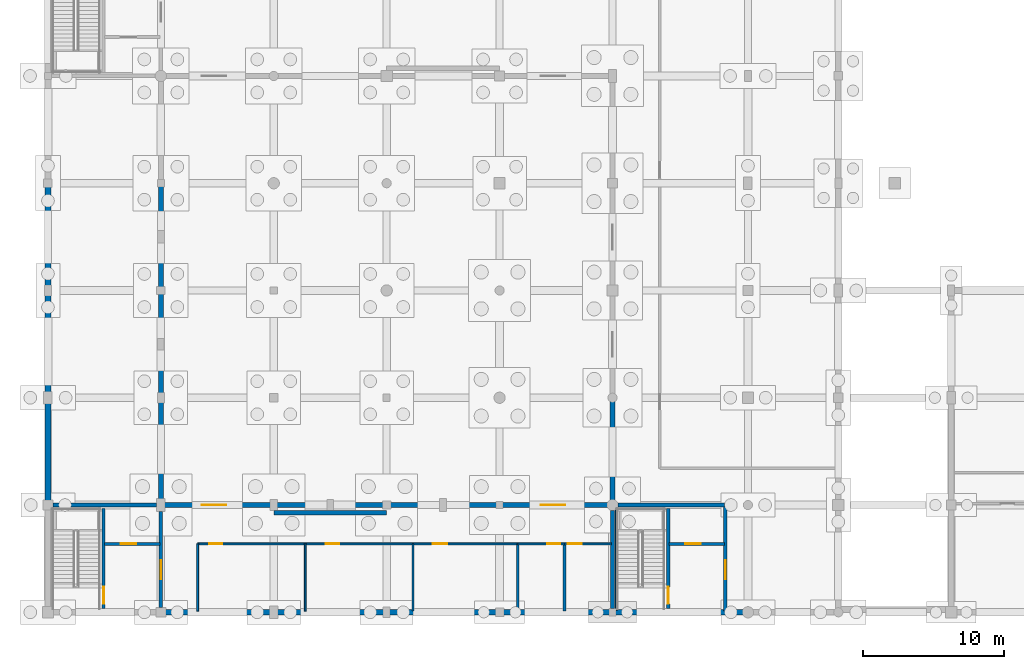
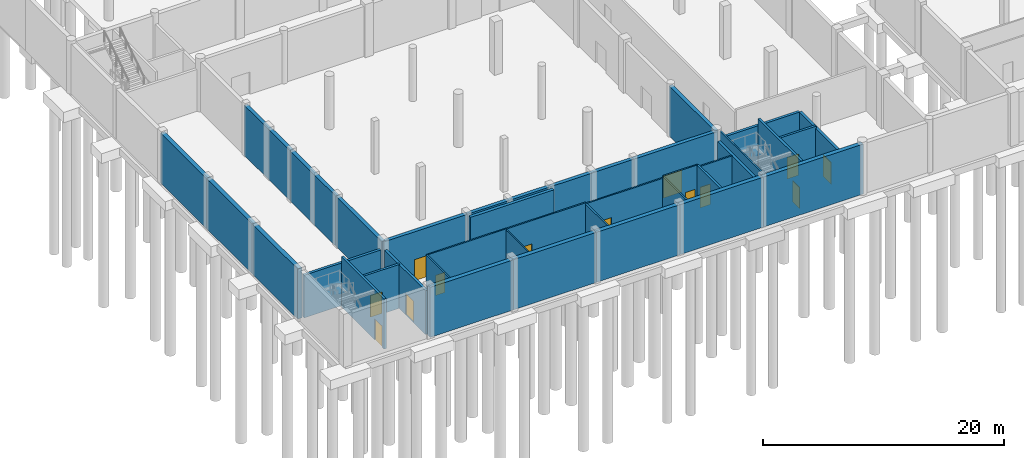
# One storey, part 23 of 44: 37 walls, 13 doors, 13 openings.
"""IFC4 building model written with IfcOpenShell, lengths in metres."""

from ifc_helpers import new_model, si_unit, direction, frame, frame_2d, origin, place, context, subcontext, project, spatial, rectangle, extrude, material, layer, layer_set, type_object, element, fill, save


model = new_model("IFC4")

# Units and contexts
model_context = context("Model", 3, precision=1e-05, world=origin(), true_north=direction((0.0, 1.0)))
body_context = subcontext(model_context, "Body", "Model", "MODEL_VIEW")
ifc_project = project(units=[si_unit("LENGTHUNIT", "METRE"), si_unit("AREAUNIT", "SQUARE_METRE"), si_unit("VOLUMEUNIT", "CUBIC_METRE"), si_unit("PLANEANGLEUNIT", "RADIAN"), si_unit("MASSUNIT", "GRAM", prefix="KILO")], contexts=[model_context])

# Site, building, storey
site_placement = place(None, origin())
site = spatial("IfcSite", under=ifc_project, at=site_placement, CompositionType="ELEMENT")
building_placement = place(site_placement, origin())
building = spatial("IfcBuilding", under=site, at=building_placement, Name="Khelvaren Railside Concert Hall", CompositionType="ELEMENT")
storey_placement = place(building_placement, frame((0.0, 0.0, -5.39990234375)))
storey = spatial("IfcBuildingStorey", under=building, at=storey_placement, Name="B1", CompositionType="ELEMENT", Elevation=-5.39990234375)

# Walls
ifc_material_1 = material(Name="Concrete C40/50", Category="concrete")
ifc_layer_1 = layer(ifc_material_1, 0.139892578125)
ifc_layer_set_1 = layer_set([ifc_layer_1], Name="Concrete C40/50")
wall_type_1 = type_object("IfcWallType", Name="CW17", PredefinedType="SOLIDWALL", material=ifc_layer_set_1)
wall_1_placement = place(storey_placement, frame((40.27490234375, 0.14990234375, 0.0), z_axis=(0.0, 0.0, 1.0), x_axis=(0.0, 1.0, 0.0)))
element("IfcWall", 1, at=wall_1_placement, inside=storey, type_object=wall_type_1, Name="Core Shaft Structural Liner Wall ST-02-B1", PredefinedType="SOLIDWALL", context=body_context, shape_type="SweptSolid", body=[
    extrude(rectangle(XDim=7.300048828125, YDim=0.139892578125, at=frame_2d((3.64990234375, 0.0))), origin(), (0.0, 0.0, 1.0), 5.079833984375),
])
ifc_layer_2 = layer(ifc_material_1, 0.25)
ifc_layer_set_2 = layer_set([ifc_layer_2], Name="Concrete C40/50")
wall_type_2 = type_object("IfcWallType", Name="CW82", PredefinedType="SOLIDWALL", material=ifc_layer_set_2)
wall_2_placement = place(storey_placement, frame((0.35009765625, 7.60009765625, 0.0), z_axis=(0.0, 0.0, 1.0), x_axis=(1.0, 0.0, 0.0)))
element("IfcWall", 2, at=wall_2_placement, inside=storey, type_object=wall_type_2, Name="Core Enclosure Wall CWALL-ST-01-B1-N", PredefinedType="SOLIDWALL", context=body_context, shape_type="SweptSolid", body=[
    extrude(rectangle(XDim=7.349853515625, YDim=0.25, at=frame_2d((3.6748046875, 0.0))), origin(), (0.0, 0.0, 1.0), 4.329833984375),
])

# Wall, opening, door
wall_3_placement = place(storey_placement, frame((8.0, 0.35009765625, 0.0), z_axis=(0.0, 0.0, 1.0), x_axis=(0.0, 1.0, 0.0)))
wall_3 = element("IfcWall", 3, at=wall_3_placement, inside=storey, type_object=wall_type_2, Name="Core Enclosure Wall CWALL-ST-01-B1-E", PredefinedType="SOLIDWALL", context=body_context, shape_type="SweptSolid", body=[
    extrude(rectangle(XDim=6.7998046875, YDim=0.25, at=frame_2d((3.39990234375, 0.0))), origin(), (0.0, 0.0, 1.0), 4.449951171875),
])
opening_1_placement = place(wall_3_placement, frame((2.0, 0.0, 0.0)))
opening_1 = element("IfcOpeningElement", 4, at=opening_1_placement, cuts=wall_3, Name="Opening FDR34", PredefinedType="OPENING", context=body_context, shape_type="SweptSolid", body=[
    extrude(rectangle(XDim=1.35009765625, YDim=2.199951171875, at=frame_2d((0.675048828125, 1.10009765625))), frame((0.0, 0.135009765625, 0.0), z_axis=(0.0, -1.0, 0.0), x_axis=(1.0, 0.0, 0.0)), (0.0, 0.0, 1.0), 0.27001953125),
])
ifc_material_2 = material(Name="Acoustic fire-rated timber-core steel frame door", Category="steel")
door_type_1 = type_object("IfcDoorType", Name="FDR34", OperationType="NOTDEFINED", PredefinedType="DOOR", material=ifc_material_2)
door_1_placement = place(opening_1_placement, origin())
door_1 = element("IfcDoor", 5, at=door_1_placement, inside=storey, type_object=door_type_1, Name="Interior Door DR-ST-01-B1-LOB", OperationType="SINGLE_SWING_LEFT", OverallHeight=2.199951171875, OverallWidth=1.35009765625, PredefinedType="DOOR", context=body_context, shape_type="SweptSolid", body=[
    extrude(rectangle(XDim=1.35009765625, YDim=2.199951171875, at=frame_2d((0.675048828125, 1.10009765625))), frame((0.0, 0.02490234375, 0.0), z_axis=(0.0, -1.0, 0.0), x_axis=(1.0, 0.0, 0.0)), (0.0, 0.0, 1.0), 0.050048828125),
])
fill(opening_1, door_1)

# Walls
wall_4_placement = place(storey_placement, frame((40.0, 0.25, 0.0), z_axis=(0.0, 0.0, 1.0), x_axis=(0.0, 1.0, 0.0)))
element("IfcWall", 6, at=wall_4_placement, inside=storey, type_object=wall_type_2, Name="Core Enclosure Wall CWALL-ST-02-B1-W", PredefinedType="SOLIDWALL", context=body_context, shape_type="SweptSolid", body=[
    extrude(rectangle(XDim=6.949951171875, YDim=0.25, at=frame_2d((3.47509765625, 0.0))), origin(), (0.0, 0.0, 1.0), 4.2548828125),
])
wall_5_placement = place(storey_placement, frame((40.39990234375, 7.60009765625, 0.0), z_axis=(0.0, 0.0, 1.0), x_axis=(1.0, 0.0, 0.0)))
element("IfcWall", 7, at=wall_5_placement, inside=storey, type_object=wall_type_2, Name="Core Enclosure Wall CWALL-ST-02-B1-N", PredefinedType="SOLIDWALL", context=body_context, shape_type="SweptSolid", body=[
    extrude(rectangle(XDim=7.52001953125, YDim=0.25, at=frame_2d((3.760009765625, 0.0))), origin(), (0.0, 0.0, 1.0), 4.2548828125),
])

# Wall, opening, door
wall_6_placement = place(storey_placement, frame((48.0, 0.080078125, 0.0), z_axis=(0.0, 0.0, 1.0), x_axis=(0.0, 1.0, 0.0)))
wall_6 = element("IfcWall", 8, at=wall_6_placement, inside=storey, type_object=wall_type_2, Name="Core Enclosure Wall CWALL-ST-02-B1-E", PredefinedType="SOLIDWALL", context=body_context, shape_type="SweptSolid", body=[
    extrude(rectangle(XDim=7.43994140625, YDim=0.25, at=frame_2d((3.719970703125, 0.0))), origin(), (0.0, 0.0, 1.0), 4.2548828125),
])
opening_2_placement = place(wall_6_placement, frame((2.27001953125, 0.0, 0.0)))
opening_2 = element("IfcOpeningElement", 9, at=opening_2_placement, cuts=wall_6, Name="Opening FDR34", PredefinedType="OPENING", context=body_context, shape_type="SweptSolid", body=[
    extrude(rectangle(XDim=1.35009765625, YDim=2.199951171875, at=frame_2d((0.675048828125, 1.10009765625))), frame((0.0, 0.135009765625, 0.0), z_axis=(0.0, -1.0, 0.0), x_axis=(1.0, 0.0, 0.0)), (0.0, 0.0, 1.0), 0.27001953125),
])
door_2_placement = place(opening_2_placement, origin())
door_2 = element("IfcDoor", 10, at=door_2_placement, inside=storey, type_object=door_type_1, Name="Interior Door DR-ST-02-B1-LOB", OperationType="SINGLE_SWING_LEFT", OverallHeight=2.199951171875, OverallWidth=1.35009765625, PredefinedType="DOOR", context=body_context, shape_type="SweptSolid", body=[
    extrude(rectangle(XDim=1.35009765625, YDim=2.199951171875, at=frame_2d((0.675048828125, 1.10009765625))), frame((0.0, 0.02490234375, 0.0), z_axis=(0.0, -1.0, 0.0), x_axis=(1.0, 0.0, 0.0)), (0.0, 0.0, 1.0), 0.050048828125),
])
fill(opening_2, door_2)

ifc_layer_3 = layer(ifc_material_1, 0.219970703125)
ifc_layer_set_3 = layer_set([ifc_layer_3], Name="Concrete C40/50")
wall_type_3 = type_object("IfcWallType", Name="CW97", PredefinedType="SOLIDWALL", material=ifc_layer_set_3)
wall_7_placement = place(storey_placement, frame((3.949951171875, 0.25, 0.0), z_axis=(0.0, 0.0, 1.0), x_axis=(0.0, 1.0, 0.0)))
wall_7 = element("IfcWall", 11, at=wall_7_placement, inside=storey, type_object=wall_type_3, Name="Core Enclosure Wall CWALL-ST-01-B1-MID", PredefinedType="SOLIDWALL", context=body_context, shape_type="SweptSolid", body=[
    extrude(rectangle(XDim=7.10009765625, YDim=0.219970703125, at=frame_2d((3.550048828125, 0.0))), origin(), (0.0, 0.0, 1.0), 5.079833984375),
])
opening_3_placement = place(wall_7_placement, frame((0.35009765625, 0.0, 0.0)))
opening_3 = element("IfcOpeningElement", 12, at=opening_3_placement, cuts=wall_7, Name="Opening FDR17", PredefinedType="OPENING", context=body_context, shape_type="SweptSolid", body=[
    extrude(rectangle(XDim=1.199951171875, YDim=2.14990234375, at=frame_2d((0.60009765625, 1.074951171875))), frame((0.0, 0.119873046875, 0.0), z_axis=(0.0, -1.0, 0.0), x_axis=(1.0, 0.0, 0.0)), (0.0, 0.0, 1.0), 0.239990234375),
])
door_type_2 = type_object("IfcDoorType", Name="FDR17", OperationType="NOTDEFINED", PredefinedType="DOOR", material=ifc_material_2)
door_3_placement = place(opening_3_placement, origin())
door_3 = element("IfcDoor", 13, at=door_3_placement, inside=storey, type_object=door_type_2, Name="Interior Door DR-ST-01-B1-ST", OperationType="SINGLE_SWING_RIGHT", OverallHeight=2.14990234375, OverallWidth=1.199951171875, PredefinedType="DOOR", context=body_context, shape_type="SweptSolid", body=[
    extrude(rectangle(XDim=1.199951171875, YDim=2.14990234375, at=frame_2d((0.60009765625, 1.074951171875))), frame((0.0, 0.02490234375, 0.0), z_axis=(0.0, -1.0, 0.0), x_axis=(1.0, 0.0, 0.0)), (0.0, 0.0, 1.0), 0.050048828125),
])
fill(opening_3, door_3)

wall_8_placement = place(storey_placement, frame((4.02001953125, 4.85009765625, 0.0), z_axis=(0.0, 0.0, 1.0), x_axis=(1.0, 0.0, 0.0)))
wall_8 = element("IfcWall", 14, at=wall_8_placement, inside=storey, type_object=wall_type_3, Name="Core Enclosure Wall CWALL-ST-01-B1-SHF", PredefinedType="SOLIDWALL", context=body_context, shape_type="SweptSolid", body=[
    extrude(rectangle(XDim=3.929931640625, YDim=0.219970703125, at=frame_2d((1.96484375, 0.0))), origin(), (0.0, 0.0, 1.0), 4.454833984375),
])
opening_4_placement = place(wall_8_placement, frame((1.14990234375, 0.0, 0.0)))
opening_4 = element("IfcOpeningElement", 15, at=opening_4_placement, cuts=wall_8, Name="Opening LD-PL-06", PredefinedType="OPENING", context=body_context, shape_type="SweptSolid", body=[
    extrude(rectangle(XDim=1.10009765625, YDim=2.199951171875, at=frame_2d((0.550048828125, 1.10009765625))), frame((0.0, 0.119873046875, 0.0), z_axis=(0.0, -1.0, 0.0), x_axis=(1.0, 0.0, 0.0)), (0.0, 0.0, 1.0), 0.239990234375),
])
ifc_material_3 = material(Name="Fire-rated brushed stainless steel landing door", Category="steel")
door_type_3 = type_object("IfcDoorType", Name="LD96", OperationType="DOUBLE_DOOR_SLIDING", PredefinedType="DOOR", material=ifc_material_3)
door_4_placement = place(opening_4_placement, origin())
door_4 = element("IfcDoor", 16, at=door_4_placement, inside=storey, type_object=door_type_3, Name="Lift Landing Door LD-PL-06-B1", OperationType="DOUBLE_DOOR_SLIDING", OverallHeight=2.199951171875, OverallWidth=1.10009765625, PredefinedType="DOOR", context=body_context, shape_type="SweptSolid", body=[
    extrude(rectangle(XDim=1.10009765625, YDim=2.199951171875, at=frame_2d((0.550048828125, 1.10009765625))), frame((0.0, 0.02490234375, 0.0), z_axis=(0.0, -1.0, 0.0), x_axis=(1.0, 0.0, 0.0)), (0.0, 0.0, 1.0), 0.050048828125),
])
fill(opening_4, door_4)

wall_9_placement = place(storey_placement, frame((43.949951171875, 0.25, 0.0), z_axis=(0.0, 0.0, 1.0), x_axis=(0.0, 1.0, 0.0)))
wall_9 = element("IfcWall", 17, at=wall_9_placement, inside=storey, type_object=wall_type_3, Name="Core Enclosure Wall CWALL-ST-02-B1-MID", PredefinedType="SOLIDWALL", context=body_context, shape_type="SweptSolid", body=[
    extrude(rectangle(XDim=7.10009765625, YDim=0.219970703125, at=frame_2d((3.550048828125, 0.0))), origin(), (0.0, 0.0, 1.0), 5.079833984375),
])
opening_5_placement = place(wall_9_placement, frame((0.35009765625, 0.0, 0.0)))
opening_5 = element("IfcOpeningElement", 18, at=opening_5_placement, cuts=wall_9, Name="Opening FDR17", PredefinedType="OPENING", context=body_context, shape_type="SweptSolid", body=[
    extrude(rectangle(XDim=1.199951171875, YDim=2.14990234375, at=frame_2d((0.60009765625, 1.074951171875))), frame((0.0, 0.119873046875, 0.0), z_axis=(0.0, -1.0, 0.0), x_axis=(1.0, 0.0, 0.0)), (0.0, 0.0, 1.0), 0.239990234375),
])
door_5_placement = place(opening_5_placement, origin())
door_5 = element("IfcDoor", 19, at=door_5_placement, inside=storey, type_object=door_type_2, Name="Interior Door DR-ST-02-B1-ST", OperationType="SINGLE_SWING_RIGHT", OverallHeight=2.14990234375, OverallWidth=1.199951171875, PredefinedType="DOOR", context=body_context, shape_type="SweptSolid", body=[
    extrude(rectangle(XDim=1.199951171875, YDim=2.14990234375, at=frame_2d((0.60009765625, 1.074951171875))), frame((0.0, 0.02490234375, 0.0), z_axis=(0.0, -1.0, 0.0), x_axis=(1.0, 0.0, 0.0)), (0.0, 0.0, 1.0), 0.050048828125),
])
fill(opening_5, door_5)

wall_10_placement = place(storey_placement, frame((44.02001953125, 4.85009765625, 0.0), z_axis=(0.0, 0.0, 1.0), x_axis=(1.0, 0.0, 0.0)))
wall_10 = element("IfcWall", 20, at=wall_10_placement, inside=storey, type_object=wall_type_3, Name="Core Enclosure Wall CWALL-ST-02-B1-SHF", PredefinedType="SOLIDWALL", context=body_context, shape_type="SweptSolid", body=[
    extrude(rectangle(XDim=3.929931640625, YDim=0.219970703125, at=frame_2d((1.96484375, 0.0))), origin(), (0.0, 0.0, 1.0), 4.47998046875),
])
opening_6_placement = place(wall_10_placement, frame((1.14990234375, 0.0, 0.0)))
opening_6 = element("IfcOpeningElement", 21, at=opening_6_placement, cuts=wall_10, Name="Opening LD-PL-01", PredefinedType="OPENING", context=body_context, shape_type="SweptSolid", body=[
    extrude(rectangle(XDim=1.10009765625, YDim=2.199951171875, at=frame_2d((0.550048828125, 1.10009765625))), frame((0.0, 0.119873046875, 0.0), z_axis=(0.0, -1.0, 0.0), x_axis=(1.0, 0.0, 0.0)), (0.0, 0.0, 1.0), 0.239990234375),
])
door_6_placement = place(opening_6_placement, origin())
door_6 = element("IfcDoor", 22, at=door_6_placement, inside=storey, type_object=door_type_3, Name="Lift Landing Door LD-PL-01-B1", OperationType="DOUBLE_DOOR_SLIDING", OverallHeight=2.199951171875, OverallWidth=1.10009765625, PredefinedType="DOOR", context=body_context, shape_type="SweptSolid", body=[
    extrude(rectangle(XDim=1.10009765625, YDim=2.199951171875, at=frame_2d((0.550048828125, 1.10009765625))), frame((0.0, 0.02490234375, 0.0), z_axis=(0.0, -1.0, 0.0), x_axis=(1.0, 0.0, 0.0)), (0.0, 0.0, 1.0), 0.050048828125),
])
fill(opening_6, door_6)

# Walls
ifc_material_4 = material(Name="Acoustic double-stud gypsum partition", Category="gypsum")
ifc_layer_4 = layer(ifc_material_4, 0.18994140625)
ifc_layer_set_4 = layer_set([ifc_layer_4], Name="Acoustic double-stud gypsum partition")
wall_type_4 = type_object("IfcWallType", Name="PT17", PredefinedType="PARTITIONING", material=ifc_layer_set_4)
wall_11_placement = place(storey_placement, frame((36.60595703125, 0.080078125, 0.0), z_axis=(0.0, 0.0, 1.0), x_axis=(0.0, 1.0, 0.0)))
element("IfcWall", 23, at=wall_11_placement, inside=storey, type_object=wall_type_4, Name="Acoustic Partition Wall PW-V1-B1-SB-D04", PredefinedType="PARTITIONING", context=body_context, shape_type="SweptSolid", body=[
    extrude(rectangle(XDim=4.77001953125, YDim=0.18994140625, at=frame_2d((2.385009765625, 0.0))), origin(), (0.0, 0.0, 1.0), 4.474853515625),
])
ifc_layer_5 = layer(ifc_material_4, 0.1298828125)
ifc_layer_set_5 = layer_set([ifc_layer_5], Name="Acoustic double-stud gypsum partition")
wall_type_5 = type_object("IfcWallType", Name="PT31", PredefinedType="PARTITIONING", material=ifc_layer_set_5)
wall_12_placement = place(storey_placement, frame((18.23095703125, 0.080078125, 0.0), z_axis=(0.0, 0.0, 1.0), x_axis=(0.0, 1.0, 0.0)))
element("IfcWall", 24, at=wall_12_placement, inside=storey, type_object=wall_type_5, Name="Acoustic Partition Wall PW-V1-B1-SB-D01", PredefinedType="PARTITIONING", context=body_context, shape_type="SweptSolid", body=[
    extrude(rectangle(XDim=4.77001953125, YDim=0.1298828125, at=frame_2d((2.385009765625, 0.0))), origin(), (0.0, 0.0, 1.0), 4.329833984375),
])

# Wall, opening, door
ifc_layer_6 = layer(ifc_material_4, 0.139892578125)
ifc_layer_set_6 = layer_set([ifc_layer_6], Name="Acoustic double-stud gypsum partition")
wall_type_6 = type_object("IfcWallType", Name="PT55", PredefinedType="PARTITIONING", material=ifc_layer_set_6)
wall_13_placement = place(storey_placement, frame((10.60009765625, 4.85009765625, 0.0), z_axis=(0.0, 0.0, 1.0), x_axis=(1.0, 0.0, 0.0)))
wall_13 = element("IfcWall", 25, at=wall_13_placement, inside=storey, type_object=wall_type_6, Name="Acoustic Partition Wall PW-V1-B1-SB-C01", PredefinedType="PARTITIONING", context=body_context, shape_type="SweptSolid", body=[
    extrude(rectangle(XDim=7.630859375, YDim=0.139892578125, at=frame_2d((3.8154296875, 0.0))), origin(), (0.0, 0.0, 1.0), 4.434814453125),
])
opening_7_placement = place(wall_13_placement, frame((0.839111328125, 0.0, 0.0)))
opening_7 = element("IfcOpeningElement", 26, at=opening_7_placement, cuts=wall_13, Name="Opening IDR68", PredefinedType="OPENING", context=body_context, shape_type="SweptSolid", body=[
    extrude(rectangle(XDim=0.919921875, YDim=2.050048828125, at=frame_2d((0.4599609375, 1.02490234375))), frame((0.0, 0.079833984375, 0.0), z_axis=(0.0, -1.0, 0.0), x_axis=(1.0, 0.0, 0.0)), (0.0, 0.0, 1.0), 0.159912109375),
])
ifc_material_5 = material(Name="Solid oak acoustic studio door", Category="wood")
door_type_4 = type_object("IfcDoorType", Name="IDR68", OperationType="NOTDEFINED", PredefinedType="DOOR", material=ifc_material_5)
door_7_placement = place(opening_7_placement, origin())
door_7 = element("IfcDoor", 27, at=door_7_placement, inside=storey, type_object=door_type_4, Name="Interior Door DR-V1-B1-SB-01", OperationType="SINGLE_SWING_RIGHT", OverallHeight=2.050048828125, OverallWidth=0.919921875, PredefinedType="DOOR", context=body_context, shape_type="SweptSolid", body=[
    extrude(rectangle(XDim=0.919921875, YDim=2.050048828125, at=frame_2d((0.4599609375, 1.02490234375))), frame((0.0, 0.02490234375, 0.0), z_axis=(0.0, -1.0, 0.0), x_axis=(1.0, 0.0, 0.0)), (0.0, 0.0, 1.0), 0.050048828125),
])
fill(opening_7, door_7)

wall_14_placement = place(storey_placement, frame((18.23095703125, 4.85009765625, 0.0), z_axis=(0.0, 0.0, 1.0), x_axis=(1.0, 0.0, 0.0)))
wall_14 = element("IfcWall", 28, at=wall_14_placement, inside=storey, type_object=wall_type_6, Name="Acoustic Partition Wall PW-V1-B1-SB-C02", PredefinedType="PARTITIONING", context=body_context, shape_type="SweptSolid", body=[
    extrude(rectangle(XDim=7.631103515625, YDim=0.139892578125, at=frame_2d((3.8154296875, 0.0))), origin(), (0.0, 0.0, 1.0), 4.409912109375),
])
opening_8_placement = place(wall_14_placement, frame((1.458251953125, 0.0, 0.0)))
opening_8 = element("IfcOpeningElement", 29, at=opening_8_placement, cuts=wall_14, Name="Opening IDR50", PredefinedType="OPENING", context=body_context, shape_type="SweptSolid", body=[
    extrude(rectangle(XDim=0.9599609375, YDim=2.050048828125, at=frame_2d((0.47998046875, 1.02490234375))), frame((0.0, 0.079833984375, 0.0), z_axis=(0.0, -1.0, 0.0), x_axis=(1.0, 0.0, 0.0)), (0.0, 0.0, 1.0), 0.159912109375),
])
door_type_5 = type_object("IfcDoorType", Name="IDR50", OperationType="NOTDEFINED", PredefinedType="DOOR", material=ifc_material_5)
door_8_placement = place(opening_8_placement, origin())
door_8 = element("IfcDoor", 30, at=door_8_placement, inside=storey, type_object=door_type_5, Name="Interior Door DR-V1-B1-SB-02", OperationType="SINGLE_SWING_LEFT", OverallHeight=2.050048828125, OverallWidth=0.9599609375, PredefinedType="DOOR", context=body_context, shape_type="SweptSolid", body=[
    extrude(rectangle(XDim=0.9599609375, YDim=2.050048828125, at=frame_2d((0.47998046875, 1.02490234375))), frame((0.0, 0.02490234375, 0.0), z_axis=(0.0, -1.0, 0.0), x_axis=(1.0, 0.0, 0.0)), (0.0, 0.0, 1.0), 0.050048828125),
])
fill(opening_8, door_8)

wall_15_placement = place(storey_placement, frame((25.862060546875, 4.85009765625, 0.0), z_axis=(0.0, 0.0, 1.0), x_axis=(1.0, 0.0, 0.0)))
wall_15 = element("IfcWall", 31, at=wall_15_placement, inside=storey, type_object=wall_type_6, Name="Acoustic Partition Wall PW-V1-B1-SB-C03", PredefinedType="PARTITIONING", context=body_context, shape_type="SweptSolid", body=[
    extrude(rectangle(XDim=7.429931640625, YDim=0.139892578125, at=frame_2d((3.71484375, 0.0))), origin(), (0.0, 0.0, 1.0), 4.304931640625),
])
opening_9_placement = place(wall_15_placement, frame((1.41796875, 0.0, 0.0)))
opening_9 = element("IfcOpeningElement", 32, at=opening_9_placement, cuts=wall_15, Name="Opening IDR21", PredefinedType="OPENING", context=body_context, shape_type="SweptSolid", body=[
    extrude(rectangle(XDim=1.0, YDim=2.050048828125, at=frame_2d((0.5, 1.02490234375))), frame((0.0, 0.079833984375, 0.0), z_axis=(0.0, -1.0, 0.0), x_axis=(1.0, 0.0, 0.0)), (0.0, 0.0, 1.0), 0.159912109375),
])
door_type_6 = type_object("IfcDoorType", Name="IDR21", OperationType="NOTDEFINED", PredefinedType="DOOR", material=ifc_material_5)
door_9_placement = place(opening_9_placement, origin())
door_9 = element("IfcDoor", 33, at=door_9_placement, inside=storey, type_object=door_type_6, Name="Interior Door DR-V1-B1-SB-03", OperationType="SINGLE_SWING_RIGHT", OverallHeight=2.050048828125, OverallWidth=1.0, PredefinedType="DOOR", context=body_context, shape_type="SweptSolid", body=[
    extrude(rectangle(XDim=1.0, YDim=2.050048828125, at=frame_2d((0.5, 1.02490234375))), frame((0.0, 0.02490234375, 0.0), z_axis=(0.0, -1.0, 0.0), x_axis=(1.0, 0.0, 0.0)), (0.0, 0.0, 1.0), 0.050048828125),
])
fill(opening_9, door_9)

wall_16_placement = place(storey_placement, frame((33.2919921875, 4.85009765625, 0.0), z_axis=(0.0, 0.0, 1.0), x_axis=(1.0, 0.0, 0.0)))
wall_16 = element("IfcWall", 34, at=wall_16_placement, inside=storey, type_object=wall_type_6, Name="Acoustic Partition Wall PW-V1-B1-SB-C04", PredefinedType="PARTITIONING", context=body_context, shape_type="SweptSolid", body=[
    extrude(rectangle(XDim=3.31396484375, YDim=0.139892578125, at=frame_2d((1.656982421875, 0.0))), origin(), (0.0, 0.0, 1.0), 4.494873046875),
])
opening_10_placement = place(wall_16_placement, frame((2.093994140625, 0.0, 0.0)))
opening_10 = element("IfcOpeningElement", 35, at=opening_10_placement, cuts=wall_16, Name="Opening IDR30", PredefinedType="OPENING", context=body_context, shape_type="SweptSolid", body=[
    extrude(rectangle(XDim=0.929931640625, YDim=2.10009765625, at=frame_2d((0.46484375, 1.050048828125))), frame((0.0, 0.079833984375, 0.0), z_axis=(0.0, -1.0, 0.0), x_axis=(1.0, 0.0, 0.0)), (0.0, 0.0, 1.0), 0.159912109375),
])
door_type_7 = type_object("IfcDoorType", Name="IDR30", OperationType="NOTDEFINED", PredefinedType="DOOR", material=ifc_material_5)
door_10_placement = place(opening_10_placement, origin())
door_10 = element("IfcDoor", 36, at=door_10_placement, inside=storey, type_object=door_type_7, Name="Interior Door DR-V1-B1-SB-04", OperationType="SINGLE_SWING_LEFT", OverallHeight=2.10009765625, OverallWidth=0.929931640625, PredefinedType="DOOR", context=body_context, shape_type="SweptSolid", body=[
    extrude(rectangle(XDim=0.929931640625, YDim=2.10009765625, at=frame_2d((0.46484375, 1.050048828125))), frame((0.0, 0.02490234375, 0.0), z_axis=(0.0, -1.0, 0.0), x_axis=(1.0, 0.0, 0.0)), (0.0, 0.0, 1.0), 0.050048828125),
])
fill(opening_10, door_10)

wall_17_placement = place(storey_placement, frame((36.60595703125, 4.85009765625, 0.0), z_axis=(0.0, 0.0, 1.0), x_axis=(1.0, 0.0, 0.0)))
wall_17 = element("IfcWall", 37, at=wall_17_placement, inside=storey, type_object=wall_type_6, Name="Acoustic Partition Wall PW-V1-B1-SB-C05", PredefinedType="PARTITIONING", context=body_context, shape_type="SweptSolid", body=[
    extrude(rectangle(XDim=3.31396484375, YDim=0.139892578125, at=frame_2d((1.656982421875, 0.0))), origin(), (0.0, 0.0, 1.0), 4.2548828125),
])
opening_11_placement = place(wall_17_placement, frame((0.219970703125, 0.0, 0.0)))
opening_11 = element("IfcOpeningElement", 38, at=opening_11_placement, cuts=wall_17, Name="Opening IDR79", PredefinedType="OPENING", context=body_context, shape_type="SweptSolid", body=[
    extrude(rectangle(XDim=0.989990234375, YDim=2.10009765625, at=frame_2d((0.4951171875, 1.050048828125))), frame((0.0, 0.079833984375, 0.0), z_axis=(0.0, -1.0, 0.0), x_axis=(1.0, 0.0, 0.0)), (0.0, 0.0, 1.0), 0.159912109375),
])
door_type_8 = type_object("IfcDoorType", Name="IDR79", OperationType="NOTDEFINED", PredefinedType="DOOR", material=ifc_material_5)
door_11_placement = place(opening_11_placement, origin())
door_11 = element("IfcDoor", 39, at=door_11_placement, inside=storey, type_object=door_type_8, Name="Interior Door DR-V1-B1-SB-05", OperationType="SINGLE_SWING_RIGHT", OverallHeight=2.10009765625, OverallWidth=0.989990234375, PredefinedType="DOOR", context=body_context, shape_type="SweptSolid", body=[
    extrude(rectangle(XDim=0.989990234375, YDim=2.10009765625, at=frame_2d((0.4951171875, 1.050048828125))), frame((0.0, 0.02490234375, 0.0), z_axis=(0.0, -1.0, 0.0), x_axis=(1.0, 0.0, 0.0)), (0.0, 0.0, 1.0), 0.050048828125),
])
fill(opening_11, door_11)

# Walls
wall_18_placement = place(storey_placement, frame((10.60009765625, 0.080078125, 0.0), z_axis=(0.0, 0.0, 1.0), x_axis=(0.0, 1.0, 0.0)))
element("IfcWall", 40, at=wall_18_placement, inside=storey, type_object=wall_type_6, Name="Acoustic Partition Wall PW-V1-B1-SB-W0", PredefinedType="PARTITIONING", context=body_context, shape_type="SweptSolid", body=[
    extrude(rectangle(XDim=4.77001953125, YDim=0.139892578125, at=frame_2d((2.385009765625, 0.0))), origin(), (0.0, 0.0, 1.0), 4.449951171875),
])
ifc_layer_7 = layer(ifc_material_4, 0.14990234375)
ifc_layer_set_7 = layer_set([ifc_layer_7], Name="Acoustic double-stud gypsum partition")
wall_type_7 = type_object("IfcWallType", Name="PT66", PredefinedType="PARTITIONING", material=ifc_layer_set_7)
wall_19_placement = place(storey_placement, frame((25.862060546875, 0.080078125, 0.0), z_axis=(0.0, 0.0, 1.0), x_axis=(0.0, 1.0, 0.0)))
element("IfcWall", 41, at=wall_19_placement, inside=storey, type_object=wall_type_7, Name="Acoustic Partition Wall PW-V1-B1-SB-D02", PredefinedType="PARTITIONING", context=body_context, shape_type="SweptSolid", body=[
    extrude(rectangle(XDim=4.77001953125, YDim=0.14990234375, at=frame_2d((2.385009765625, 0.0))), origin(), (0.0, 0.0, 1.0), 4.304931640625),
])
ifc_layer_8 = layer(ifc_material_4, 0.169921875)
ifc_layer_set_8 = layer_set([ifc_layer_8], Name="Acoustic double-stud gypsum partition")
wall_type_8 = type_object("IfcWallType", Name="PT94", PredefinedType="PARTITIONING", material=ifc_layer_set_8)
wall_20_placement = place(storey_placement, frame((33.2919921875, 0.080078125, 0.0), z_axis=(0.0, 0.0, 1.0), x_axis=(0.0, 1.0, 0.0)))
element("IfcWall", 42, at=wall_20_placement, inside=storey, type_object=wall_type_8, Name="Acoustic Partition Wall PW-V1-B1-SB-D03", PredefinedType="PARTITIONING", context=body_context, shape_type="SweptSolid", body=[
    extrude(rectangle(XDim=4.77001953125, YDim=0.169921875, at=frame_2d((2.385009765625, 0.0))), origin(), (0.0, 0.0, 1.0), 4.474853515625),
])
ifc_layer_9 = layer(ifc_material_1, 0.39990234375)
ifc_layer_set_9 = layer_set([ifc_layer_9], Name="Concrete C40/50")
wall_type_9 = type_object("IfcWallType", Name="RW96", PredefinedType="USERDEFINED", material=ifc_layer_set_9)
for number, where, z_axis, x_axis, name in (
    (43, (8.0, 0.0, 0.0), (0.0, 0.0, 1.0), (1.0, 0.0, 0.0), "V1 Basement Retaining Wall S02"),
    (44, (16.0, 0.0, 0.0), (0.0, 0.0, 1.0), (1.0, 0.0, 0.0), "V1 Basement Retaining Wall S03"),
    (45, (24.0, 0.0, 0.0), (0.0, 0.0, 1.0), (1.0, 0.0, 0.0), "V1 Basement Retaining Wall S04"),
    (46, (32.0, 0.0, 0.0), (0.0, 0.0, 1.0), (1.0, 0.0, 0.0), "V1 Basement Retaining Wall S05"),
):
    element("IfcWall", number, at=place(storey_placement, frame(where, z_axis=z_axis, x_axis=x_axis)), inside=storey, type_object=wall_type_9, Name=name, ObjectType="RETAINING WALL", PredefinedType="USERDEFINED", context=body_context, shape_type="SweptSolid", body=[
        extrude(rectangle(XDim=8.0, YDim=0.39990234375, at=frame_2d((4.0, 0.0))), origin(), (0.0, 0.0, 1.0), 5.079833984375),
    ])
wall_21_placement = place(storey_placement, frame((40.0, 0.0, 0.0), z_axis=(0.0, 0.0, 1.0), x_axis=(1.0, 0.0, 0.0)))
element("IfcWall", 47, at=wall_21_placement, inside=storey, type_object=wall_type_9, Name="V1 Basement Retaining Wall S06", ObjectType="RETAINING WALL", PredefinedType="USERDEFINED", context=body_context, shape_type="SweptSolid", body=[
    extrude(rectangle(XDim=9.60009765625, YDim=0.39990234375, at=frame_2d((4.800048828125, 0.0))), origin(), (0.0, 0.0, 1.0), 5.079833984375),
])
wall_22_placement = place(storey_placement, frame((0.0, 15.199951171875, 0.0), z_axis=(0.0, 0.0, 1.0), x_axis=(0.0, -1.0, 0.0)))
element("IfcWall", 48, at=wall_22_placement, inside=storey, type_object=wall_type_9, Name="V1 Basement Retaining Wall W02", ObjectType="RETAINING WALL", PredefinedType="USERDEFINED", context=body_context, shape_type="SweptSolid", body=[
    extrude(rectangle(XDim=7.599853515625, YDim=0.39990234375, at=frame_2d((3.7998046875, 0.0))), origin(), (0.0, 0.0, 1.0), 5.079833984375),
])
wall_23_placement = place(storey_placement, frame((0.0, 22.800048828125, 0.0), z_axis=(0.0, 0.0, 1.0), x_axis=(0.0, -1.0, 0.0)))
element("IfcWall", 49, at=wall_23_placement, inside=storey, type_object=wall_type_9, Name="V1 Basement Retaining Wall W03", ObjectType="RETAINING WALL", PredefinedType="USERDEFINED", context=body_context, shape_type="SweptSolid", body=[
    extrude(rectangle(XDim=7.60009765625, YDim=0.39990234375, at=frame_2d((3.800048828125, 0.0))), origin(), (0.0, 0.0, 1.0), 5.079833984375),
])
wall_24_placement = place(storey_placement, frame((0.0, 30.39990234375, 0.0), z_axis=(0.0, 0.0, 1.0), x_axis=(0.0, -1.0, 0.0)))
element("IfcWall", 50, at=wall_24_placement, inside=storey, type_object=wall_type_9, Name="V1 Basement Retaining Wall W04", ObjectType="RETAINING WALL", PredefinedType="USERDEFINED", context=body_context, shape_type="SweptSolid", body=[
    extrude(rectangle(XDim=7.599853515625, YDim=0.39990234375, at=frame_2d((3.7998046875, 0.0))), origin(), (0.0, 0.0, 1.0), 5.079833984375),
])
ifc_layer_10 = layer(ifc_material_1, 0.300048828125)
ifc_layer_set_10 = layer_set([ifc_layer_10], Name="Concrete C40/50")
wall_type_10 = type_object("IfcWallType", Name="SW62", PredefinedType="SHEAR", material=ifc_layer_set_10)
wall_25_placement = place(storey_placement, frame((16.0, 7.050048828125, 0.0), z_axis=(0.0, 0.0, 1.0), x_axis=(1.0, 0.0, 0.0)))
element("IfcWall", 51, at=wall_25_placement, inside=storey, type_object=wall_type_10, Name="V1 Outer Box Isolation Wall B1-1", PredefinedType="SHEAR", context=body_context, shape_type="SweptSolid", body=[
    extrude(rectangle(XDim=8.0, YDim=0.300048828125, at=frame_2d((4.0, 0.0))), origin(), (0.0, 0.0, 1.0), 5.079833984375),
])

# Wall, opening, door
ifc_layer_11 = layer(ifc_material_1, 0.35009765625)
ifc_layer_set_11 = layer_set([ifc_layer_11], Name="Concrete C40/50")
wall_type_11 = type_object("IfcWallType", Name="SW91", PredefinedType="SHEAR", material=ifc_layer_set_11)
wall_26_placement = place(storey_placement, frame((8.0, 7.60009765625, 0.0), z_axis=(0.0, 0.0, 1.0), x_axis=(1.0, 0.0, 0.0)))
wall_26 = element("IfcWall", 52, at=wall_26_placement, inside=storey, type_object=wall_type_11, Name="V1 Acoustic Box Shear Wall B1 S1", PredefinedType="SHEAR", context=body_context, shape_type="SweptSolid", body=[
    extrude(rectangle(XDim=8.0, YDim=0.35009765625, at=frame_2d((4.0, 0.0))), origin(), (0.0, 0.0, 1.0), 5.079833984375),
])
opening_12_placement = place(wall_26_placement, frame((2.89990234375, 0.0, 0.0)))
opening_12 = element("IfcOpeningElement", 53, at=opening_12_placement, cuts=wall_26, Name="Opening ADR83", PredefinedType="OPENING", context=body_context, shape_type="SweptSolid", body=[
    extrude(rectangle(XDim=1.75, YDim=2.25, at=frame_2d((0.875, 1.125))), frame((0.0, 0.18505859375, 0.0), z_axis=(0.0, -1.0, 0.0), x_axis=(1.0, 0.0, 0.0)), (0.0, 0.0, 1.0), 0.3701171875),
])
ifc_material_6 = material(Name="Heavy acoustic double sound-lock fire door", Category="wood")
door_type_9 = type_object("IfcDoorType", Name="ADR83", OperationType="DOUBLE_DOOR_SINGLE_SWING", PredefinedType="DOOR", material=ifc_material_6)
door_12_placement = place(opening_12_placement, origin())
door_12 = element("IfcDoor", 54, at=door_12_placement, inside=storey, type_object=door_type_9, Name="Main Concert Hall Acoustic Sound-Lock Door B1-S1", OperationType="DOUBLE_DOOR_SINGLE_SWING", OverallHeight=2.25, OverallWidth=1.75, PredefinedType="DOOR", context=body_context, shape_type="SweptSolid", body=[
    extrude(rectangle(XDim=1.75, YDim=2.25, at=frame_2d((0.875, 1.125))), frame((0.0, 0.02490234375, 0.0), z_axis=(0.0, -1.0, 0.0), x_axis=(1.0, 0.0, 0.0)), (0.0, 0.0, 1.0), 0.050048828125),
])
fill(opening_12, door_12)

# Walls
for number, where, z_axis, x_axis, name in (
    (55, (16.0, 7.60009765625, 0.0), (0.0, 0.0, 1.0), (1.0, 0.0, 0.0), "V1 Acoustic Box Shear Wall B1 S2"),
    (56, (24.0, 7.60009765625, 0.0), (0.0, 0.0, 1.0), (1.0, 0.0, 0.0), "V1 Acoustic Box Shear Wall B1 S3"),
):
    element("IfcWall", number, at=place(storey_placement, frame(where, z_axis=z_axis, x_axis=x_axis)), inside=storey, type_object=wall_type_11, Name=name, PredefinedType="SHEAR", context=body_context, shape_type="SweptSolid", body=[
        extrude(rectangle(XDim=8.0, YDim=0.35009765625, at=frame_2d((4.0, 0.0))), origin(), (0.0, 0.0, 1.0), 5.079833984375),
    ])

# Wall, opening, door
wall_27_placement = place(storey_placement, frame((32.0, 7.60009765625, 0.0), z_axis=(0.0, 0.0, 1.0), x_axis=(1.0, 0.0, 0.0)))
wall_27 = element("IfcWall", 57, at=wall_27_placement, inside=storey, type_object=wall_type_11, Name="V1 Acoustic Box Shear Wall B1 S4", PredefinedType="SHEAR", context=body_context, shape_type="SweptSolid", body=[
    extrude(rectangle(XDim=8.0, YDim=0.35009765625, at=frame_2d((4.0, 0.0))), origin(), (0.0, 0.0, 1.0), 5.079833984375),
])
opening_13_placement = place(wall_27_placement, frame((2.89990234375, 0.0, 0.0)))
opening_13 = element("IfcOpeningElement", 58, at=opening_13_placement, cuts=wall_27, Name="Opening ADR83", PredefinedType="OPENING", context=body_context, shape_type="SweptSolid", body=[
    extrude(rectangle(XDim=1.75, YDim=2.25, at=frame_2d((0.875, 1.125))), frame((0.0, 0.18505859375, 0.0), z_axis=(0.0, -1.0, 0.0), x_axis=(1.0, 0.0, 0.0)), (0.0, 0.0, 1.0), 0.3701171875),
])
door_13_placement = place(opening_13_placement, origin())
door_13 = element("IfcDoor", 59, at=door_13_placement, inside=storey, type_object=door_type_9, Name="Main Concert Hall Acoustic Sound-Lock Door B1-S4", OperationType="DOUBLE_DOOR_SINGLE_SWING", OverallHeight=2.25, OverallWidth=1.75, PredefinedType="DOOR", context=body_context, shape_type="SweptSolid", body=[
    extrude(rectangle(XDim=1.75, YDim=2.25, at=frame_2d((0.875, 1.125))), frame((0.0, 0.02490234375, 0.0), z_axis=(0.0, -1.0, 0.0), x_axis=(1.0, 0.0, 0.0)), (0.0, 0.0, 1.0), 0.050048828125),
])
fill(opening_13, door_13)

# Walls
wall_28_placement = place(storey_placement, frame((8.0, 7.60009765625, 0.0), z_axis=(0.0, 0.0, 1.0), x_axis=(0.0, 1.0, 0.0)))
element("IfcWall", 60, at=wall_28_placement, inside=storey, type_object=wall_type_11, Name="V1 Acoustic Box Shear Wall B1 W1", PredefinedType="SHEAR", context=body_context, shape_type="SweptSolid", body=[
    extrude(rectangle(XDim=7.599853515625, YDim=0.35009765625, at=frame_2d((3.7998046875, 0.0))), origin(), (0.0, 0.0, 1.0), 5.079833984375),
])
wall_29_placement = place(storey_placement, frame((8.0, 15.199951171875, 0.0), z_axis=(0.0, 0.0, 1.0), x_axis=(0.0, 1.0, 0.0)))
element("IfcWall", 61, at=wall_29_placement, inside=storey, type_object=wall_type_11, Name="V1 Acoustic Box Shear Wall B1 W2", PredefinedType="SHEAR", context=body_context, shape_type="SweptSolid", body=[
    extrude(rectangle(XDim=7.60009765625, YDim=0.35009765625, at=frame_2d((3.800048828125, 0.0))), origin(), (0.0, 0.0, 1.0), 5.079833984375),
])
for number, where, z_axis, x_axis, name in (
    (62, (8.0, 22.800048828125, 0.0), (0.0, 0.0, 1.0), (0.0, 1.0, 0.0), "V1 Acoustic Box Shear Wall B1 W3"),
    (63, (40.0, 7.60009765625, 0.0), (0.0, 0.0, 1.0), (0.0, 1.0, 0.0), "V1 Acoustic Box Shear Wall B1 E1"),
):
    element("IfcWall", number, at=place(storey_placement, frame(where, z_axis=z_axis, x_axis=x_axis)), inside=storey, type_object=wall_type_11, Name=name, PredefinedType="SHEAR", context=body_context, shape_type="SweptSolid", body=[
        extrude(rectangle(XDim=7.599853515625, YDim=0.35009765625, at=frame_2d((3.7998046875, 0.0))), origin(), (0.0, 0.0, 1.0), 5.079833984375),
    ])

save(model, "model.ifc")
